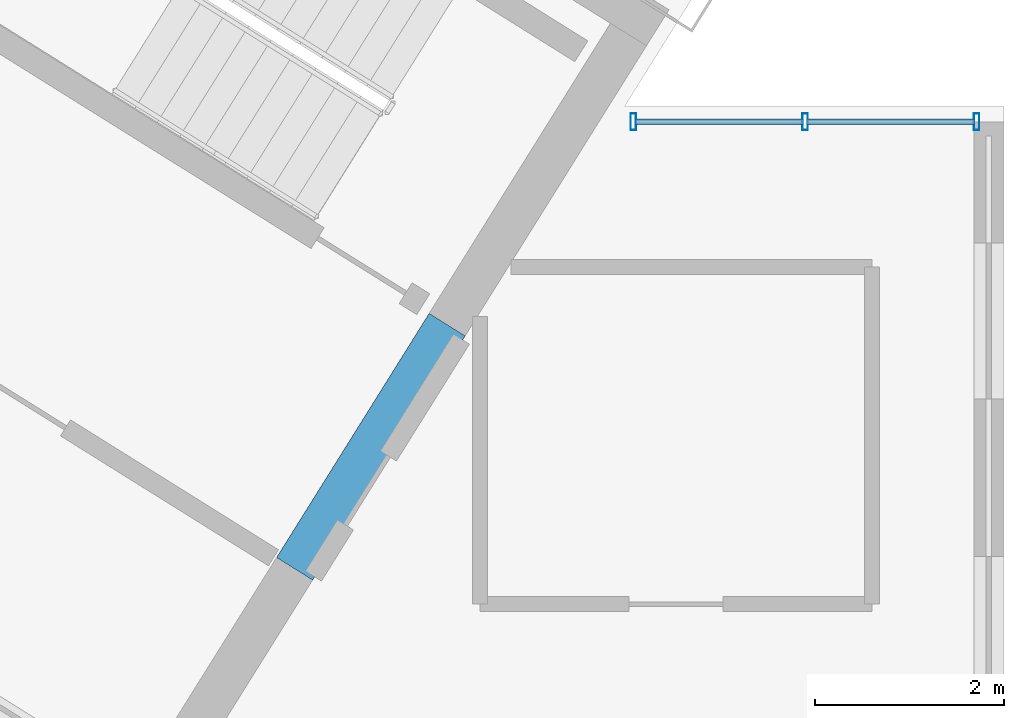
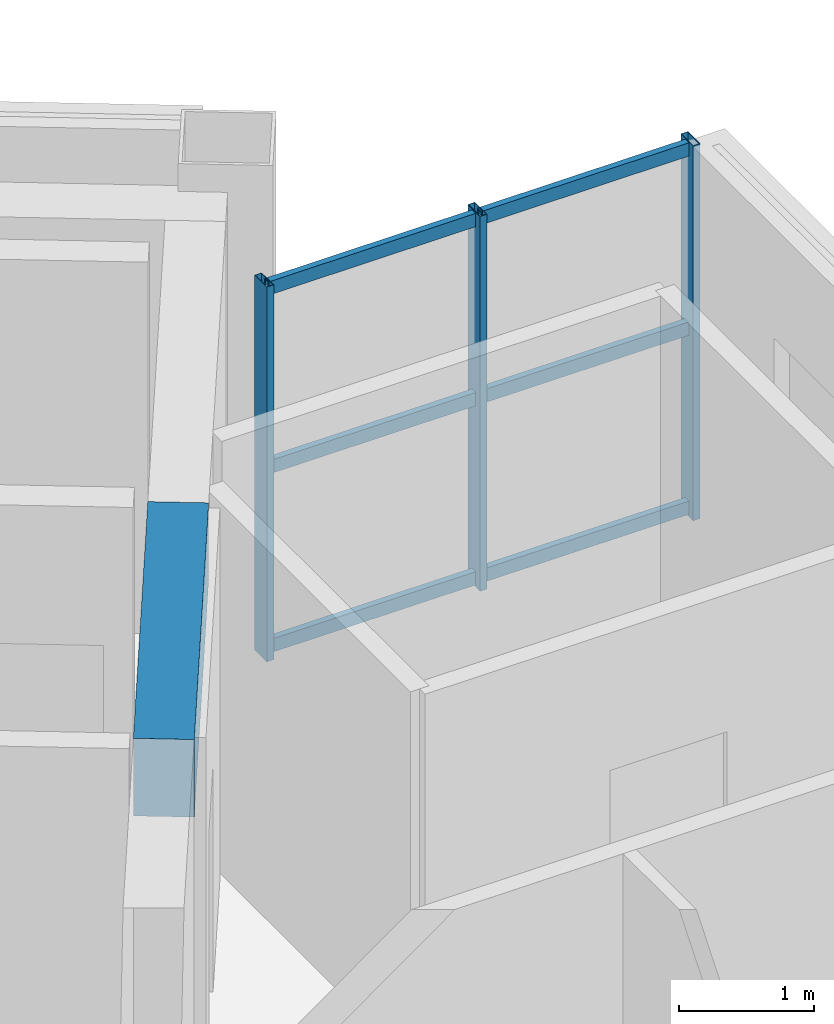
# One storey, part 6 of 17: 9 members, 1 beam, 1 element without a shape of its own.
"""IFC4 building model written with IfcOpenShell, lengths in metres."""

from ifc_helpers import new_model, si_unit, direction, frame, origin, origin_2d, place, context, subcontext, project, spatial, rectangle, hollow_rectangle, extrude, source, transform, mapped, material, material_profile, profile_set, type_object, element, aggregate, save


model = new_model("IFC4")

# Units and contexts
model_context = context("Model", 3, precision=1e-05, world=origin(), true_north=direction((0.0, 1.0)))
body_context = subcontext(model_context, "Body", "Model", "MODEL_VIEW")
ifc_project = project(units=[si_unit("LENGTHUNIT", "METRE"), si_unit("AREAUNIT", "SQUARE_METRE"), si_unit("VOLUMEUNIT", "CUBIC_METRE"), si_unit("PLANEANGLEUNIT", "RADIAN"), si_unit("MASSUNIT", "GRAM", prefix="KILO")], contexts=[model_context])

# Site, building, storey
site_placement = place(None, origin())
site = spatial("IfcSite", under=ifc_project, at=site_placement, CompositionType="ELEMENT")
building_placement = place(site_placement, origin())
building = spatial("IfcBuilding", under=site, at=building_placement, Name="Tlacorven Tower", CompositionType="ELEMENT")
storey_placement = place(building_placement, frame((0.0, 0.0, 277.199951171875)))
storey = spatial("IfcBuildingStorey", under=building, at=storey_placement, Name="L70", CompositionType="ELEMENT", Elevation=277.199951171875)

# Beam
ifc_material_1 = material(Name="Concrete C60/75", Category="concrete")
ifc_material_profile_1 = material_profile(ifc_material_1, rectangle(XDim=0.449951171875, YDim=0.699951171875, at=origin_2d()), Name="RC 450X700")
ifc_profile_set_1 = profile_set([ifc_material_profile_1], Name="Concrete C60/75")
beam_type = type_object("IfcBeamType", Name="BM-LNT-700", PredefinedType="LINTEL", material=ifc_profile_set_1)
shared_shape_1 = source(origin(), body_context, "Body", "SweptSolid", [
    extrude(rectangle(XDim=0.449951171875, YDim=0.699951171875, at=origin_2d()), origin(), (0.0, 0.0, 1.0), 3.050048828125),
])
beam_placement = place(storey_placement, frame((38.2998046875, 20.890625, 3.0), z_axis=(-0.529984549635, -0.848007297815, 0.0), x_axis=(0.848007297815, -0.529984549635, 0.0)))
element("IfcBeam", 1, at=beam_placement, inside=storey, type_object=beam_type, Name="L70 W core coupling lintel beam E1", PredefinedType="LINTEL", context=body_context, shape_type="MappedRepresentation", body=[
    mapped(shared_shape_1, transform((0.0, 0.0, 0.0), scale=1.0)),
])

# Curtain wall, members
ifc_material_2 = material(Name="Dark solar low-E double glazing in aluminium frame", Category="aluminium")
curtain_wall_type = type_object("IfcCurtainWallType", Name="CW-TWR-HIGH", PredefinedType="USERDEFINED", material=ifc_material_2)
curtain_wall_placement = place(storey_placement, origin())
curtain_wall = element("IfcCurtainWall", 2, at=curtain_wall_placement, inside=storey, type_object=curtain_wall_type, Name="L70 CW-TWR-HIGH Curtain Wall 328", ObjectType="UNITISED CURTAIN WALL", PredefinedType="USERDEFINED")
ifc_material_3 = material(Name="Aluminium 6063-T6 anodised", Category="aluminium")
ifc_material_profile_2 = material_profile(ifc_material_3, hollow_rectangle(XDim=0.06005859375, YDim=0.179931640625, WallThickness=0.00390625, at=origin_2d()), Name="ALU MULLION 60X180")
ifc_profile_set_2 = profile_set([ifc_material_profile_2], Name="Aluminium 6063-T6 anodised")
member_type_1 = type_object("IfcMemberType", Name="CWM-03", PredefinedType="MULLION", material=ifc_profile_set_2)
shared_shape_2 = source(origin(), body_context, "Body", "SweptSolid", [
    extrude(hollow_rectangle(XDim=0.06005859375, YDim=0.179931640625, WallThickness=0.00390625, at=origin_2d()), origin(), (0.0, 0.0, 1.0), 3.380126953125),
])
member_1_placement = place(storey_placement, frame((40.27392578125, 23.0400390625, -0.02001953125), z_axis=(0.0, 0.0, 1.0), x_axis=(1.0, 0.0, 0.0)))
member_1 = element("IfcMember", 3, at=member_1_placement, type_object=member_type_1, Name="CW-L70-328 Mullion 1", PredefinedType="MULLION", context=body_context, shape_type="MappedRepresentation", body=[
    mapped(shared_shape_2, transform((0.0, 0.0, 0.0), scale=1.0)),
])
member_2_placement = place(storey_placement, frame((42.092041015625, 23.0400390625, -0.02001953125), z_axis=(0.0, 0.0, 1.0), x_axis=(1.0, 0.0, 0.0)))
member_2 = element("IfcMember", 4, at=member_2_placement, type_object=member_type_1, Name="CW-L70-328 Mullion 2", PredefinedType="MULLION", context=body_context, shape_type="MappedRepresentation", body=[
    mapped(shared_shape_2, transform((0.0, 0.0, 0.0), scale=1.0)),
])
member_3_placement = place(storey_placement, frame((43.909912109375, 23.0400390625, -0.02001953125), z_axis=(0.0, 0.0, 1.0), x_axis=(1.0, 0.0, 0.0)))
member_3 = element("IfcMember", 5, at=member_3_placement, type_object=member_type_1, Name="CW-L70-328 Mullion 3", PredefinedType="MULLION", context=body_context, shape_type="MappedRepresentation", body=[
    mapped(shared_shape_2, transform((0.0, 0.0, 0.0), scale=1.0)),
])
ifc_material_profile_3 = material_profile(ifc_material_3, hollow_rectangle(XDim=0.054931640625, YDim=0.1201171875, WallThickness=0.00341796875, at=origin_2d()), Name="ALU TRANSOM 55X120")
ifc_profile_set_3 = profile_set([ifc_material_profile_3], Name="Aluminium 6063-T6 anodised")
member_type_2 = type_object("IfcMemberType", Name="CWT-03", PredefinedType="USERDEFINED", material=ifc_profile_set_3)
shared_shape_3 = source(origin(), body_context, "Body", "SweptSolid", [
    extrude(hollow_rectangle(XDim=0.054931640625, YDim=0.1201171875, WallThickness=0.00341796875, at=origin_2d()), origin(), (0.0, 0.0, 1.0), 1.781982421875),
])
member_4_placement = place(storey_placement, frame((40.2919921875, 23.0400390625, 0.06005859375), z_axis=(1.0, 0.0, 0.0), x_axis=(0.0, 1.0, 0.0)))
member_4 = element("IfcMember", 6, at=member_4_placement, type_object=member_type_2, Name="CW-L70-328 Transom 1", ObjectType="TRANSOM", PredefinedType="USERDEFINED", context=body_context, shape_type="MappedRepresentation", body=[
    mapped(shared_shape_3, transform((0.0, 0.0, 0.0), scale=1.0)),
])
member_5_placement = place(storey_placement, frame((40.2919921875, 23.0400390625, 1.675048828125), z_axis=(1.0, 0.0, 0.0), x_axis=(0.0, 1.0, 0.0)))
member_5 = element("IfcMember", 7, at=member_5_placement, type_object=member_type_2, Name="CW-L70-328 Transom 2", ObjectType="TRANSOM", PredefinedType="USERDEFINED", context=body_context, shape_type="MappedRepresentation", body=[
    mapped(shared_shape_3, transform((0.0, 0.0, 0.0), scale=1.0)),
])
member_6_placement = place(storey_placement, frame((40.2919921875, 23.0400390625, 3.2900390625), z_axis=(1.0, 0.0, 0.0), x_axis=(0.0, 1.0, 0.0)))
member_6 = element("IfcMember", 8, at=member_6_placement, type_object=member_type_2, Name="CW-L70-328 Transom 3", ObjectType="TRANSOM", PredefinedType="USERDEFINED", context=body_context, shape_type="MappedRepresentation", body=[
    mapped(shared_shape_3, transform((0.0, 0.0, 0.0), scale=1.0)),
])
shared_shape_4 = source(origin(), body_context, "Body", "SweptSolid", [
    extrude(hollow_rectangle(XDim=0.054931640625, YDim=0.1201171875, WallThickness=0.00341796875, at=origin_2d()), origin(), (0.0, 0.0, 1.0), 1.7822265625),
])
member_7_placement = place(storey_placement, frame((42.10986328125, 23.0400390625, 0.06005859375), z_axis=(1.0, 0.0, 0.0), x_axis=(0.0, 1.0, 0.0)))
member_7 = element("IfcMember", 9, at=member_7_placement, type_object=member_type_2, Name="CW-L70-328 Transom 4", ObjectType="TRANSOM", PredefinedType="USERDEFINED", context=body_context, shape_type="MappedRepresentation", body=[
    mapped(shared_shape_4, transform((0.0, 0.0, 0.0), scale=1.0)),
])
member_8_placement = place(storey_placement, frame((42.10986328125, 23.0400390625, 1.675048828125), z_axis=(1.0, 0.0, 0.0), x_axis=(0.0, 1.0, 0.0)))
member_8 = element("IfcMember", 10, at=member_8_placement, type_object=member_type_2, Name="CW-L70-328 Transom 5", ObjectType="TRANSOM", PredefinedType="USERDEFINED", context=body_context, shape_type="MappedRepresentation", body=[
    mapped(shared_shape_4, transform((0.0, 0.0, 0.0), scale=1.0)),
])
member_9_placement = place(storey_placement, frame((42.10986328125, 23.0400390625, 3.2900390625), z_axis=(1.0, 0.0, 0.0), x_axis=(0.0, 1.0, 0.0)))
member_9 = element("IfcMember", 11, at=member_9_placement, type_object=member_type_2, Name="CW-L70-328 Transom 6", ObjectType="TRANSOM", PredefinedType="USERDEFINED", context=body_context, shape_type="MappedRepresentation", body=[
    mapped(shared_shape_4, transform((0.0, 0.0, 0.0), scale=1.0)),
])
aggregate(curtain_wall, [member_1, member_2, member_3, member_4, member_5, member_6, member_7, member_8, member_9])

save(model, "model.ifc")
